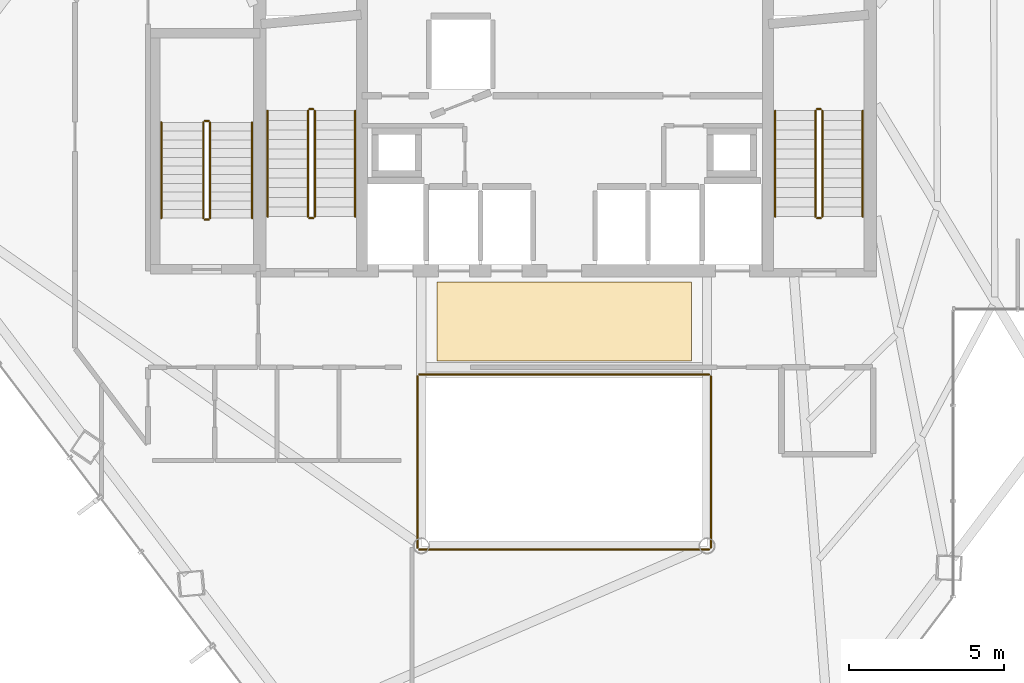
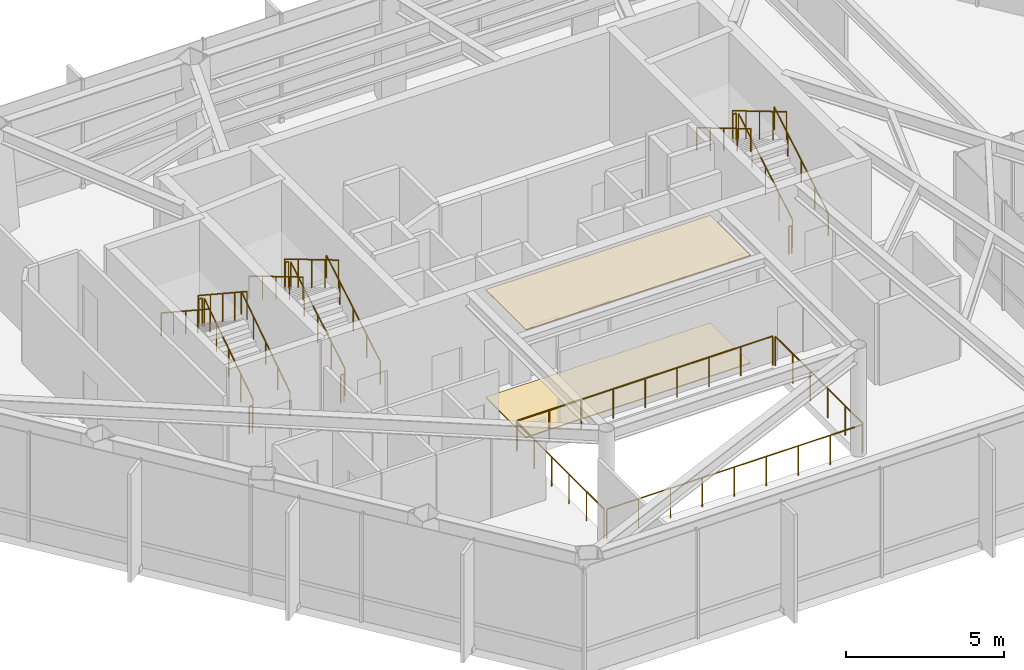
# One storey, part 25 of 25: 22 railings, 2 coverings.
"""IFC4 building model written with IfcOpenShell, lengths in metres."""

from ifc_helpers import new_model, si_unit, direction, frame, origin, origin_2d, place, context, subcontext, project, spatial, polyline, circle, outline, extrude, material, layer, layer_set, type_object, element, save


model = new_model("IFC4")

# Units and contexts
model_context = context("Model", 3, precision=1e-05, world=origin(), true_north=direction((0.0, 1.0)))
body_context = subcontext(model_context, "Body", "Model", "MODEL_VIEW")
ifc_project = project(units=[si_unit("LENGTHUNIT", "METRE"), si_unit("AREAUNIT", "SQUARE_METRE"), si_unit("VOLUMEUNIT", "CUBIC_METRE"), si_unit("PLANEANGLEUNIT", "RADIAN"), si_unit("MASSUNIT", "GRAM", prefix="KILO")], contexts=[model_context])

# Site, building, storey
site_placement = place(None, origin())
site = spatial("IfcSite", under=ifc_project, at=site_placement, CompositionType="ELEMENT")
building_placement = place(site_placement, origin())
building = spatial("IfcBuilding", under=site, at=building_placement, Name="Zarrinselat Tower", CompositionType="ELEMENT")
storey_placement = place(building_placement, frame((0.0, 0.0, 119.0)))
storey = spatial("IfcBuildingStorey", under=building, at=storey_placement, Name="L28", CompositionType="ELEMENT", Elevation=119.0)

# Coverings
ifc_material_1 = material(Name="Perforated Architectural Bronze")
ifc_layer_1 = layer(ifc_material_1, 0.02001953125)
ifc_layer_set_1 = layer_set([ifc_layer_1], Name="Perforated Architectural Bronze")
covering_type_1 = type_object("IfcCoveringType", Name="COV-CLG-BZ20", PredefinedType="CEILING", material=ifc_layer_set_1)
covering_1_placement = place(storey_placement, frame((0.0, 0.0, 4.159912109375)))
element("IfcCovering", 1, at=covering_1_placement, inside=storey, type_object=covering_type_1, Name="L28 Lift Lobby Acoustic Ceiling", PredefinedType="CEILING", context=body_context, shape_type="SweptSolid", body=[
    extrude(outline(polyline([(34.300048828125, 30.35009765625), (42.5, 30.35009765625), (42.5, 32.89990234375), (34.300048828125, 32.89990234375), (34.300048828125, 30.35009765625)])), origin(), (0.0, 0.0, 1.0), 0.02001953125),
])
ifc_material_2 = material(Name="Precast concrete C40/50", Category="concrete")
ifc_layer_2 = layer(ifc_material_2, 0.034912109375)
ifc_layer_set_2 = layer_set([ifc_layer_2], Name="Precast concrete C40/50")
covering_type_2 = type_object("IfcCoveringType", Name="COV-FLR-CP35", PredefinedType="FLOORING", material=ifc_layer_set_2)
covering_2_placement = place(storey_placement, origin())
element("IfcCovering", 2, at=covering_2_placement, inside=storey, type_object=covering_type_2, Name="L28 Lift Lobby Stone Flooring", PredefinedType="FLOORING", context=body_context, shape_type="SweptSolid", body=[
    extrude(outline(polyline([(34.300048828125, 30.35009765625), (42.5, 30.35009765625), (42.5, 32.89990234375), (34.300048828125, 32.89990234375), (34.300048828125, 30.35009765625)])), origin(), (0.0, 0.0, 1.0), 0.034912109375),
])

# Railings
ifc_material_3 = material(Name="Double Low-E Laminated Solar Glass", Category="glass")
railing_type_1 = type_object("IfcRailingType", Name="RLG-ATRIUM-BAL", PredefinedType="BALUSTRADE", material=ifc_material_3)
railing_1_placement = place(storey_placement, frame((33.739990234375, 24.280029296875, 0.0)))
element("IfcRailing", 3, at=railing_1_placement, inside=storey, type_object=railing_type_1, Name="L28 Atrium Void Glass Balustrade S", PredefinedType="BALUSTRADE", context=body_context, shape_type="SweptSolid", body=[
    extrude(circle(Radius=0.02392578125, at=origin_2d()), frame((0.0, 0.0, 1.1259765625), z_axis=(1.0, 0.0, 0.0), x_axis=(0.0, 1.0, 0.0)), (0.0, 0.0, 1.0), 9.320068359375),
    extrude(circle(Radius=0.02099609375, at=origin_2d()), origin(), (0.0, 0.0, 1.0), 1.099853515625),
    extrude(circle(Radius=0.02099609375, at=origin_2d()), frame((1.1650390625, 0.0, 0.0)), (0.0, 0.0, 1.0), 1.099853515625),
    extrude(circle(Radius=0.02099609375, at=origin_2d()), frame((2.330078125, 0.0, 0.0)), (0.0, 0.0, 1.0), 1.099853515625),
    extrude(circle(Radius=0.02099609375, at=origin_2d()), frame((3.4951171875, 0.0, 0.0)), (0.0, 0.0, 1.0), 1.099853515625),
    extrude(circle(Radius=0.02099609375, at=origin_2d()), frame((4.66015625, 0.0, 0.0)), (0.0, 0.0, 1.0), 1.099853515625),
    extrude(circle(Radius=0.02099609375, at=origin_2d()), frame((5.824951171875, 0.0, 0.0)), (0.0, 0.0, 1.0), 1.099853515625),
    extrude(circle(Radius=0.02099609375, at=origin_2d()), frame((6.989990234375, 0.0, 0.0)), (0.0, 0.0, 1.0), 1.099853515625),
    extrude(circle(Radius=0.02099609375, at=origin_2d()), frame((8.155029296875, 0.0, 0.0)), (0.0, 0.0, 1.0), 1.099853515625),
    extrude(circle(Radius=0.02099609375, at=origin_2d()), frame((9.320068359375, 0.0, 0.0)), (0.0, 0.0, 1.0), 1.099853515625),
])
railing_2_placement = place(storey_placement, frame((43.1201171875, 24.340087890625, 0.0)))
element("IfcRailing", 4, at=railing_2_placement, inside=storey, type_object=railing_type_1, Name="L28 Atrium Void Glass Balustrade E", PredefinedType="BALUSTRADE", context=body_context, shape_type="SweptSolid", body=[
    extrude(circle(Radius=0.02392578125, at=origin_2d()), frame((0.0, 0.0, 1.1259765625), z_axis=(0.0, 1.0, 0.0), x_axis=(-1.0, 0.0, 0.0)), (0.0, 0.0, 1.0), 5.52001953125),
    extrude(circle(Radius=0.02099609375, at=origin_2d()), origin(), (0.0, 0.0, 1.0), 1.099853515625),
    extrude(circle(Radius=0.02099609375, at=origin_2d()), frame((0.0, 1.10400390625, 0.0)), (0.0, 0.0, 1.0), 1.099853515625),
    extrude(circle(Radius=0.02099609375, at=origin_2d()), frame((0.0, 2.2080078125, 0.0)), (0.0, 0.0, 1.0), 1.099853515625),
    extrude(circle(Radius=0.02099609375, at=origin_2d()), frame((0.0, 3.31201171875, 0.0)), (0.0, 0.0, 1.0), 1.099853515625),
    extrude(circle(Radius=0.02099609375, at=origin_2d()), frame((0.0, 4.416015625, 0.0)), (0.0, 0.0, 1.0), 1.099853515625),
    extrude(circle(Radius=0.02099609375, at=origin_2d()), frame((0.0, 5.52001953125, 0.0)), (0.0, 0.0, 1.0), 1.099853515625),
])
railing_3_placement = place(storey_placement, frame((43.06005859375, 29.919921875, 0.0)))
element("IfcRailing", 5, at=railing_3_placement, inside=storey, type_object=railing_type_1, Name="L28 Atrium Void Glass Balustrade N", PredefinedType="BALUSTRADE", context=body_context, shape_type="SweptSolid", body=[
    extrude(circle(Radius=0.02392578125, at=origin_2d()), frame((0.0, 0.0, 1.1259765625), z_axis=(-1.0, 0.0, 0.0), x_axis=(0.0, -1.0, 0.0)), (0.0, 0.0, 1.0), 9.320068359375),
    extrude(circle(Radius=0.02099609375, at=origin_2d()), origin(), (0.0, 0.0, 1.0), 1.099853515625),
    extrude(circle(Radius=0.02099609375, at=origin_2d()), frame((-1.1650390625, 0.0, 0.0)), (0.0, 0.0, 1.0), 1.099853515625),
    extrude(circle(Radius=0.02099609375, at=origin_2d()), frame((-2.330078125, 0.0, 0.0)), (0.0, 0.0, 1.0), 1.099853515625),
    extrude(circle(Radius=0.02099609375, at=origin_2d()), frame((-3.4951171875, 0.0, 0.0)), (0.0, 0.0, 1.0), 1.099853515625),
    extrude(circle(Radius=0.02099609375, at=origin_2d()), frame((-4.66015625, 0.0, 0.0)), (0.0, 0.0, 1.0), 1.099853515625),
    extrude(circle(Radius=0.02099609375, at=origin_2d()), frame((-5.824951171875, 0.0, 0.0)), (0.0, 0.0, 1.0), 1.099853515625),
    extrude(circle(Radius=0.02099609375, at=origin_2d()), frame((-6.989990234375, 0.0, 0.0)), (0.0, 0.0, 1.0), 1.099853515625),
    extrude(circle(Radius=0.02099609375, at=origin_2d()), frame((-8.155029296875, 0.0, 0.0)), (0.0, 0.0, 1.0), 1.099853515625),
    extrude(circle(Radius=0.02099609375, at=origin_2d()), frame((-9.320068359375, 0.0, 0.0)), (0.0, 0.0, 1.0), 1.099853515625),
])
railing_4_placement = place(storey_placement, frame((33.679931640625, 29.860107421875, 0.0)))
element("IfcRailing", 6, at=railing_4_placement, inside=storey, type_object=railing_type_1, Name="L28 Atrium Void Glass Balustrade W", PredefinedType="BALUSTRADE", context=body_context, shape_type="SweptSolid", body=[
    extrude(circle(Radius=0.02392578125, at=origin_2d()), frame((0.0, 0.0, 1.1259765625), z_axis=(0.0, -1.0, 0.0), x_axis=(1.0, 0.0, 0.0)), (0.0, 0.0, 1.0), 5.52001953125),
    extrude(circle(Radius=0.02099609375, at=origin_2d()), origin(), (0.0, 0.0, 1.0), 1.099853515625),
    extrude(circle(Radius=0.02099609375, at=origin_2d()), frame((0.0, -1.10400390625, 0.0)), (0.0, 0.0, 1.0), 1.099853515625),
    extrude(circle(Radius=0.02099609375, at=origin_2d()), frame((0.0, -2.2080078125, 0.0)), (0.0, 0.0, 1.0), 1.099853515625),
    extrude(circle(Radius=0.02099609375, at=origin_2d()), frame((0.0, -3.31201171875, 0.0)), (0.0, 0.0, 1.0), 1.099853515625),
    extrude(circle(Radius=0.02099609375, at=origin_2d()), frame((0.0, -4.416015625, 0.0)), (0.0, 0.0, 1.0), 1.099853515625),
    extrude(circle(Radius=0.02099609375, at=origin_2d()), frame((0.0, -5.52001953125, 0.0)), (0.0, 0.0, 1.0), 1.099853515625),
])
ifc_material_4 = material(Name="Steel S355J2", Category="steel")
railing_type_2 = type_object("IfcRailingType", Name="RLG-STAIR-GUARD", PredefinedType="GUARDRAIL", material=ifc_material_4)
railing_5_placement = place(storey_placement, frame((30.3701171875, 35.0, 0.18408203125)))
element("IfcRailing", 7, at=railing_5_placement, inside=storey, type_object=railing_type_2, Name="L28 ST-1 stair guard 1", PredefinedType="GUARDRAIL", context=body_context, shape_type="SweptSolid", body=[
    extrude(circle(Radius=0.02392578125, at=origin_2d()), frame((0.0, 0.0, 1.076171875), z_axis=(0.0, 0.85971707285, 0.510770549904), x_axis=(-1.0, 0.0, 0.0)), (0.0, 0.0, 1.0), 3.96630859375),
    extrude(circle(Radius=0.02099609375, at=origin_2d()), origin(), (0.0, 0.0, 1.0), 1.050048828125),
    extrude(circle(Radius=0.02099609375, at=origin_2d()), frame((0.0, 0.8525390625, 0.50634765625)), (0.0, 0.0, 1.0), 1.050048828125),
    extrude(circle(Radius=0.02099609375, at=origin_2d()), frame((0.0, 1.705078125, 1.012939453125)), (0.0, 0.0, 1.0), 1.050048828125),
    extrude(circle(Radius=0.02099609375, at=origin_2d()), frame((0.0, 2.557373046875, 1.51953125)), (0.0, 0.0, 1.0), 1.050048828125),
    extrude(circle(Radius=0.02099609375, at=origin_2d()), frame((0.0, 3.409912109375, 2.02587890625)), (0.0, 0.0, 1.0), 1.050048828125),
])
railing_6_placement = place(storey_placement, frame((30.320068359375, 38.4599609375, 2.2099609375)))
element("IfcRailing", 8, at=railing_6_placement, inside=storey, type_object=railing_type_2, Name="L28 ST-1 stair guard 2", PredefinedType="GUARDRAIL", context=body_context, shape_type="SweptSolid", body=[
    extrude(circle(Radius=0.02392578125, at=origin_2d()), frame((0.0, 0.0, 1.076171875), z_axis=(-1.0, 0.0, 0.0), x_axis=(0.0, -1.0, 0.0)), (0.0, 0.0, 1.0), 0.1201171875),
    extrude(circle(Radius=0.02099609375, at=origin_2d()), origin(), (0.0, 0.0, 1.0), 1.050048828125),
    extrude(circle(Radius=0.02099609375, at=origin_2d()), frame((-0.1201171875, 0.0, 0.0)), (0.0, 0.0, 1.0), 1.050048828125),
])
railing_7_placement = place(storey_placement, frame((30.14990234375, 38.409912109375, 2.394287109375)))
element("IfcRailing", 9, at=railing_7_placement, inside=storey, type_object=railing_type_2, Name="L28 ST-1 stair guard 3", PredefinedType="GUARDRAIL", context=body_context, shape_type="SweptSolid", body=[
    extrude(circle(Radius=0.02392578125, at=origin_2d()), frame((0.0, 0.0, 1.076171875), z_axis=(0.0, -0.859744101735, 0.510725052774), x_axis=(1.0, 0.0, 0.0)), (0.0, 0.0, 1.0), 3.96630859375),
    extrude(circle(Radius=0.02099609375, at=origin_2d()), origin(), (0.0, 0.0, 1.0), 1.050048828125),
    extrude(circle(Radius=0.02099609375, at=origin_2d()), frame((0.0, -0.8525390625, 0.50634765625)), (0.0, 0.0, 1.0), 1.050048828125),
    extrude(circle(Radius=0.02099609375, at=origin_2d()), frame((0.0, -1.705078125, 1.0126953125)), (0.0, 0.0, 1.0), 1.050048828125),
    extrude(circle(Radius=0.02099609375, at=origin_2d()), frame((0.0, -2.557373046875, 1.519287109375)), (0.0, 0.0, 1.0), 1.050048828125),
    extrude(circle(Radius=0.02099609375, at=origin_2d()), frame((0.0, -3.409912109375, 2.025634765625)), (0.0, 0.0, 1.0), 1.050048828125),
])
railing_8_placement = place(storey_placement, frame((30.320068359375, 34.949951171875, 0.0)))
element("IfcRailing", 10, at=railing_8_placement, inside=storey, type_object=railing_type_2, Name="L28 ST-1 stair guard 4", PredefinedType="GUARDRAIL", context=body_context, shape_type="SweptSolid", body=[
    extrude(circle(Radius=0.02392578125, at=origin_2d()), frame((0.0, 0.0, 1.076171875), z_axis=(-1.0, 0.0, 0.0), x_axis=(0.0, -1.0, 0.0)), (0.0, 0.0, 1.0), 0.1201171875),
    extrude(circle(Radius=0.02099609375, at=origin_2d()), origin(), (0.0, 0.0, 1.0), 1.050048828125),
    extrude(circle(Radius=0.02099609375, at=origin_2d()), frame((-0.1201171875, 0.0, 0.0)), (0.0, 0.0, 1.0), 1.050048828125),
])
railing_9_placement = place(storey_placement, frame((46.7099609375, 35.0, 0.18408203125)))
element("IfcRailing", 11, at=railing_9_placement, inside=storey, type_object=railing_type_2, Name="L28 ST-2 stair guard 1", PredefinedType="GUARDRAIL", context=body_context, shape_type="SweptSolid", body=[
    extrude(circle(Radius=0.02392578125, at=origin_2d()), frame((0.0, 0.0, 1.076171875), z_axis=(0.0, 0.85971707285, 0.510770549904), x_axis=(-1.0, 0.0, 0.0)), (0.0, 0.0, 1.0), 3.96630859375),
    extrude(circle(Radius=0.02099609375, at=origin_2d()), origin(), (0.0, 0.0, 1.0), 1.050048828125),
    extrude(circle(Radius=0.02099609375, at=origin_2d()), frame((0.0, 0.8525390625, 0.50634765625)), (0.0, 0.0, 1.0), 1.050048828125),
    extrude(circle(Radius=0.02099609375, at=origin_2d()), frame((0.0, 1.705078125, 1.012939453125)), (0.0, 0.0, 1.0), 1.050048828125),
    extrude(circle(Radius=0.02099609375, at=origin_2d()), frame((0.0, 2.557373046875, 1.51953125)), (0.0, 0.0, 1.0), 1.050048828125),
    extrude(circle(Radius=0.02099609375, at=origin_2d()), frame((0.0, 3.409912109375, 2.02587890625)), (0.0, 0.0, 1.0), 1.050048828125),
])
railing_10_placement = place(storey_placement, frame((46.659912109375, 38.4599609375, 2.2099609375)))
element("IfcRailing", 12, at=railing_10_placement, inside=storey, type_object=railing_type_2, Name="L28 ST-2 stair guard 2", PredefinedType="GUARDRAIL", context=body_context, shape_type="SweptSolid", body=[
    extrude(circle(Radius=0.02392578125, at=origin_2d()), frame((0.0, 0.0, 1.076171875), z_axis=(-1.0, 0.0, 0.0), x_axis=(0.0, -1.0, 0.0)), (0.0, 0.0, 1.0), 0.119873046875),
    extrude(circle(Radius=0.02099609375, at=origin_2d()), origin(), (0.0, 0.0, 1.0), 1.050048828125),
    extrude(circle(Radius=0.02099609375, at=origin_2d()), frame((-0.119873046875, 0.0, 0.0)), (0.0, 0.0, 1.0), 1.050048828125),
])
railing_11_placement = place(storey_placement, frame((46.489990234375, 38.409912109375, 2.394287109375)))
element("IfcRailing", 13, at=railing_11_placement, inside=storey, type_object=railing_type_2, Name="L28 ST-2 stair guard 3", PredefinedType="GUARDRAIL", context=body_context, shape_type="SweptSolid", body=[
    extrude(circle(Radius=0.02392578125, at=origin_2d()), frame((0.0, 0.0, 1.076171875), z_axis=(0.0, -0.859744101735, 0.510725052774), x_axis=(1.0, 0.0, 0.0)), (0.0, 0.0, 1.0), 3.96630859375),
    extrude(circle(Radius=0.02099609375, at=origin_2d()), origin(), (0.0, 0.0, 1.0), 1.050048828125),
    extrude(circle(Radius=0.02099609375, at=origin_2d()), frame((0.0, -0.8525390625, 0.50634765625)), (0.0, 0.0, 1.0), 1.050048828125),
    extrude(circle(Radius=0.02099609375, at=origin_2d()), frame((0.0, -1.705078125, 1.0126953125)), (0.0, 0.0, 1.0), 1.050048828125),
    extrude(circle(Radius=0.02099609375, at=origin_2d()), frame((0.0, -2.557373046875, 1.519287109375)), (0.0, 0.0, 1.0), 1.050048828125),
    extrude(circle(Radius=0.02099609375, at=origin_2d()), frame((0.0, -3.409912109375, 2.025634765625)), (0.0, 0.0, 1.0), 1.050048828125),
])
railing_12_placement = place(storey_placement, frame((46.659912109375, 34.949951171875, 0.0)))
element("IfcRailing", 14, at=railing_12_placement, inside=storey, type_object=railing_type_2, Name="L28 ST-2 stair guard 4", PredefinedType="GUARDRAIL", context=body_context, shape_type="SweptSolid", body=[
    extrude(circle(Radius=0.02392578125, at=origin_2d()), frame((0.0, 0.0, 1.076171875), z_axis=(-1.0, 0.0, 0.0), x_axis=(0.0, -1.0, 0.0)), (0.0, 0.0, 1.0), 0.119873046875),
    extrude(circle(Radius=0.02099609375, at=origin_2d()), origin(), (0.0, 0.0, 1.0), 1.050048828125),
    extrude(circle(Radius=0.02099609375, at=origin_2d()), frame((-0.119873046875, 0.0, 0.0)), (0.0, 0.0, 1.0), 1.050048828125),
])
railing_13_placement = place(storey_placement, frame((27.0, 34.949951171875, 0.18408203125)))
element("IfcRailing", 15, at=railing_13_placement, inside=storey, type_object=railing_type_2, Name="L28 ST-3 stair guard 1", PredefinedType="GUARDRAIL", context=body_context, shape_type="SweptSolid", body=[
    extrude(circle(Radius=0.02392578125, at=origin_2d()), frame((0.0, 0.0, 1.076171875), z_axis=(0.0, 0.835477891525, 0.549524060231), x_axis=(-1.0, 0.0, 0.0)), (0.0, 0.0, 1.0), 3.6865234375),
    extrude(circle(Radius=0.02099609375, at=origin_2d()), origin(), (0.0, 0.0, 1.0), 1.050048828125),
    extrude(circle(Radius=0.02099609375, at=origin_2d()), frame((0.0, 0.77001953125, 0.50634765625)), (0.0, 0.0, 1.0), 1.050048828125),
    extrude(circle(Radius=0.02099609375, at=origin_2d()), frame((0.0, 1.5400390625, 1.012939453125)), (0.0, 0.0, 1.0), 1.050048828125),
    extrude(circle(Radius=0.02099609375, at=origin_2d()), frame((0.0, 2.31005859375, 1.51953125)), (0.0, 0.0, 1.0), 1.050048828125),
    extrude(circle(Radius=0.02099609375, at=origin_2d()), frame((0.0, 3.080078125, 2.02587890625)), (0.0, 0.0, 1.0), 1.050048828125),
])
railing_14_placement = place(storey_placement, frame((26.949951171875, 38.080078125, 2.2099609375)))
element("IfcRailing", 16, at=railing_14_placement, inside=storey, type_object=railing_type_2, Name="L28 ST-3 stair guard 2", PredefinedType="GUARDRAIL", context=body_context, shape_type="SweptSolid", body=[
    extrude(circle(Radius=0.02392578125, at=origin_2d()), frame((0.0, 0.0, 1.076171875), z_axis=(-1.0, 0.0, 0.0), x_axis=(0.0, -1.0, 0.0)), (0.0, 0.0, 1.0), 0.119873046875),
    extrude(circle(Radius=0.02099609375, at=origin_2d()), origin(), (0.0, 0.0, 1.0), 1.050048828125),
    extrude(circle(Radius=0.02099609375, at=origin_2d()), frame((-0.119873046875, 0.0, 0.0)), (0.0, 0.0, 1.0), 1.050048828125),
])
railing_15_placement = place(storey_placement, frame((26.780029296875, 38.030029296875, 2.394287109375)))
element("IfcRailing", 17, at=railing_15_placement, inside=storey, type_object=railing_type_2, Name="L28 ST-3 stair guard 3", PredefinedType="GUARDRAIL", context=body_context, shape_type="SweptSolid", body=[
    extrude(circle(Radius=0.02392578125, at=origin_2d()), frame((0.0, 0.0, 1.076171875), z_axis=(0.0, -0.835508295649, 0.549477832039), x_axis=(1.0, 0.0, 0.0)), (0.0, 0.0, 1.0), 3.6865234375),
    extrude(circle(Radius=0.02099609375, at=origin_2d()), origin(), (0.0, 0.0, 1.0), 1.050048828125),
    extrude(circle(Radius=0.02099609375, at=origin_2d()), frame((0.0, -0.77001953125, 0.50634765625)), (0.0, 0.0, 1.0), 1.050048828125),
    extrude(circle(Radius=0.02099609375, at=origin_2d()), frame((0.0, -1.5400390625, 1.0126953125)), (0.0, 0.0, 1.0), 1.050048828125),
    extrude(circle(Radius=0.02099609375, at=origin_2d()), frame((0.0, -2.31005859375, 1.519287109375)), (0.0, 0.0, 1.0), 1.050048828125),
    extrude(circle(Radius=0.02099609375, at=origin_2d()), frame((0.0, -3.080078125, 2.025634765625)), (0.0, 0.0, 1.0), 1.050048828125),
])
railing_16_placement = place(storey_placement, frame((26.949951171875, 34.89990234375, 0.0)))
element("IfcRailing", 18, at=railing_16_placement, inside=storey, type_object=railing_type_2, Name="L28 ST-3 stair guard 4", PredefinedType="GUARDRAIL", context=body_context, shape_type="SweptSolid", body=[
    extrude(circle(Radius=0.02392578125, at=origin_2d()), frame((0.0, 0.0, 1.076171875), z_axis=(-1.0, 0.0, 0.0), x_axis=(0.0, -1.0, 0.0)), (0.0, 0.0, 1.0), 0.119873046875),
    extrude(circle(Radius=0.02099609375, at=origin_2d()), origin(), (0.0, 0.0, 1.0), 1.050048828125),
    extrude(circle(Radius=0.02099609375, at=origin_2d()), frame((-0.119873046875, 0.0, 0.0)), (0.0, 0.0, 1.0), 1.050048828125),
])
ifc_material_5 = material(Name="Steel S355J2", Category="steel")
railing_type_3 = type_object("IfcRailingType", Name="RLG-STAIR-HAND", PredefinedType="HANDRAIL", material=ifc_material_5)
railing_17_placement = place(storey_placement, frame((31.669921875, 35.0, 0.18408203125)))
element("IfcRailing", 19, at=railing_17_placement, inside=storey, type_object=railing_type_3, Name="L28 ST-1 stair handrail 1", PredefinedType="HANDRAIL", context=body_context, shape_type="SweptSolid", body=[
    extrude(circle(Radius=0.02392578125, at=origin_2d()), frame((0.0, 0.0, 0.8759765625), z_axis=(0.0, 0.85971707285, 0.510770549904), x_axis=(-1.0, 0.0, 0.0)), (0.0, 0.0, 1.0), 3.96630859375),
    extrude(circle(Radius=0.02099609375, at=origin_2d()), origin(), (0.0, 0.0, 1.0), 0.849853515625),
    extrude(circle(Radius=0.02099609375, at=origin_2d()), frame((0.0, 0.8525390625, 0.50634765625)), (0.0, 0.0, 1.0), 0.849853515625),
    extrude(circle(Radius=0.02099609375, at=origin_2d()), frame((0.0, 1.705078125, 1.012939453125)), (0.0, 0.0, 1.0), 0.849853515625),
    extrude(circle(Radius=0.02099609375, at=origin_2d()), frame((0.0, 2.557373046875, 1.51953125)), (0.0, 0.0, 1.0), 0.849853515625),
    extrude(circle(Radius=0.02099609375, at=origin_2d()), frame((0.0, 3.409912109375, 2.02587890625)), (0.0, 0.0, 1.0), 0.849853515625),
])
railing_18_placement = place(storey_placement, frame((28.85009765625, 38.409912109375, 2.394287109375)))
element("IfcRailing", 20, at=railing_18_placement, inside=storey, type_object=railing_type_3, Name="L28 ST-1 stair handrail 2", PredefinedType="HANDRAIL", context=body_context, shape_type="SweptSolid", body=[
    extrude(circle(Radius=0.02392578125, at=origin_2d()), frame((0.0, 0.0, 0.8759765625), z_axis=(0.0, -0.859744101735, 0.510725052774), x_axis=(1.0, 0.0, 0.0)), (0.0, 0.0, 1.0), 3.96630859375),
    extrude(circle(Radius=0.02099609375, at=origin_2d()), origin(), (0.0, 0.0, 1.0), 0.849853515625),
    extrude(circle(Radius=0.02099609375, at=origin_2d()), frame((0.0, -0.8525390625, 0.50634765625)), (0.0, 0.0, 1.0), 0.849853515625),
    extrude(circle(Radius=0.02099609375, at=origin_2d()), frame((0.0, -1.705078125, 1.0126953125)), (0.0, 0.0, 1.0), 0.849853515625),
    extrude(circle(Radius=0.02099609375, at=origin_2d()), frame((0.0, -2.557373046875, 1.519287109375)), (0.0, 0.0, 1.0), 0.849853515625),
    extrude(circle(Radius=0.02099609375, at=origin_2d()), frame((0.0, -3.409912109375, 2.025634765625)), (0.0, 0.0, 1.0), 0.849853515625),
])
railing_19_placement = place(storey_placement, frame((48.010009765625, 35.0, 0.18408203125)))
element("IfcRailing", 21, at=railing_19_placement, inside=storey, type_object=railing_type_3, Name="L28 ST-2 stair handrail 1", PredefinedType="HANDRAIL", context=body_context, shape_type="SweptSolid", body=[
    extrude(circle(Radius=0.02392578125, at=origin_2d()), frame((0.0, 0.0, 0.8759765625), z_axis=(0.0, 0.85971707285, 0.510770549904), x_axis=(-1.0, 0.0, 0.0)), (0.0, 0.0, 1.0), 3.96630859375),
    extrude(circle(Radius=0.02099609375, at=origin_2d()), origin(), (0.0, 0.0, 1.0), 0.849853515625),
    extrude(circle(Radius=0.02099609375, at=origin_2d()), frame((0.0, 0.8525390625, 0.50634765625)), (0.0, 0.0, 1.0), 0.849853515625),
    extrude(circle(Radius=0.02099609375, at=origin_2d()), frame((0.0, 1.705078125, 1.012939453125)), (0.0, 0.0, 1.0), 0.849853515625),
    extrude(circle(Radius=0.02099609375, at=origin_2d()), frame((0.0, 2.557373046875, 1.51953125)), (0.0, 0.0, 1.0), 0.849853515625),
    extrude(circle(Radius=0.02099609375, at=origin_2d()), frame((0.0, 3.409912109375, 2.02587890625)), (0.0, 0.0, 1.0), 0.849853515625),
])
railing_20_placement = place(storey_placement, frame((45.18994140625, 38.409912109375, 2.394287109375)))
element("IfcRailing", 22, at=railing_20_placement, inside=storey, type_object=railing_type_3, Name="L28 ST-2 stair handrail 2", PredefinedType="HANDRAIL", context=body_context, shape_type="SweptSolid", body=[
    extrude(circle(Radius=0.02392578125, at=origin_2d()), frame((0.0, 0.0, 0.8759765625), z_axis=(0.0, -0.859744101735, 0.510725052774), x_axis=(1.0, 0.0, 0.0)), (0.0, 0.0, 1.0), 3.96630859375),
    extrude(circle(Radius=0.02099609375, at=origin_2d()), origin(), (0.0, 0.0, 1.0), 0.849853515625),
    extrude(circle(Radius=0.02099609375, at=origin_2d()), frame((0.0, -0.8525390625, 0.50634765625)), (0.0, 0.0, 1.0), 0.849853515625),
    extrude(circle(Radius=0.02099609375, at=origin_2d()), frame((0.0, -1.705078125, 1.0126953125)), (0.0, 0.0, 1.0), 0.849853515625),
    extrude(circle(Radius=0.02099609375, at=origin_2d()), frame((0.0, -2.557373046875, 1.519287109375)), (0.0, 0.0, 1.0), 0.849853515625),
    extrude(circle(Radius=0.02099609375, at=origin_2d()), frame((0.0, -3.409912109375, 2.025634765625)), (0.0, 0.0, 1.0), 0.849853515625),
])
railing_21_placement = place(storey_placement, frame((28.35009765625, 34.949951171875, 0.18408203125)))
element("IfcRailing", 23, at=railing_21_placement, inside=storey, type_object=railing_type_3, Name="L28 ST-3 stair handrail 1", PredefinedType="HANDRAIL", context=body_context, shape_type="SweptSolid", body=[
    extrude(circle(Radius=0.02392578125, at=origin_2d()), frame((0.0, 0.0, 0.8759765625), z_axis=(0.0, 0.835477891525, 0.549524060231), x_axis=(-1.0, 0.0, 0.0)), (0.0, 0.0, 1.0), 3.6865234375),
    extrude(circle(Radius=0.02099609375, at=origin_2d()), origin(), (0.0, 0.0, 1.0), 0.849853515625),
    extrude(circle(Radius=0.02099609375, at=origin_2d()), frame((0.0, 0.77001953125, 0.50634765625)), (0.0, 0.0, 1.0), 0.849853515625),
    extrude(circle(Radius=0.02099609375, at=origin_2d()), frame((0.0, 1.5400390625, 1.012939453125)), (0.0, 0.0, 1.0), 0.849853515625),
    extrude(circle(Radius=0.02099609375, at=origin_2d()), frame((0.0, 2.31005859375, 1.51953125)), (0.0, 0.0, 1.0), 0.849853515625),
    extrude(circle(Radius=0.02099609375, at=origin_2d()), frame((0.0, 3.080078125, 2.02587890625)), (0.0, 0.0, 1.0), 0.849853515625),
])
railing_22_placement = place(storey_placement, frame((25.429931640625, 38.030029296875, 2.394287109375)))
element("IfcRailing", 24, at=railing_22_placement, inside=storey, type_object=railing_type_3, Name="L28 ST-3 stair handrail 2", PredefinedType="HANDRAIL", context=body_context, shape_type="SweptSolid", body=[
    extrude(circle(Radius=0.02392578125, at=origin_2d()), frame((0.0, 0.0, 0.8759765625), z_axis=(0.0, -0.835508295649, 0.549477832039), x_axis=(1.0, 0.0, 0.0)), (0.0, 0.0, 1.0), 3.6865234375),
    extrude(circle(Radius=0.02099609375, at=origin_2d()), origin(), (0.0, 0.0, 1.0), 0.849853515625),
    extrude(circle(Radius=0.02099609375, at=origin_2d()), frame((0.0, -0.77001953125, 0.50634765625)), (0.0, 0.0, 1.0), 0.849853515625),
    extrude(circle(Radius=0.02099609375, at=origin_2d()), frame((0.0, -1.5400390625, 1.0126953125)), (0.0, 0.0, 1.0), 0.849853515625),
    extrude(circle(Radius=0.02099609375, at=origin_2d()), frame((0.0, -2.31005859375, 1.519287109375)), (0.0, 0.0, 1.0), 0.849853515625),
    extrude(circle(Radius=0.02099609375, at=origin_2d()), frame((0.0, -3.080078125, 2.025634765625)), (0.0, 0.0, 1.0), 0.849853515625),
])

save(model, "model.ifc")
